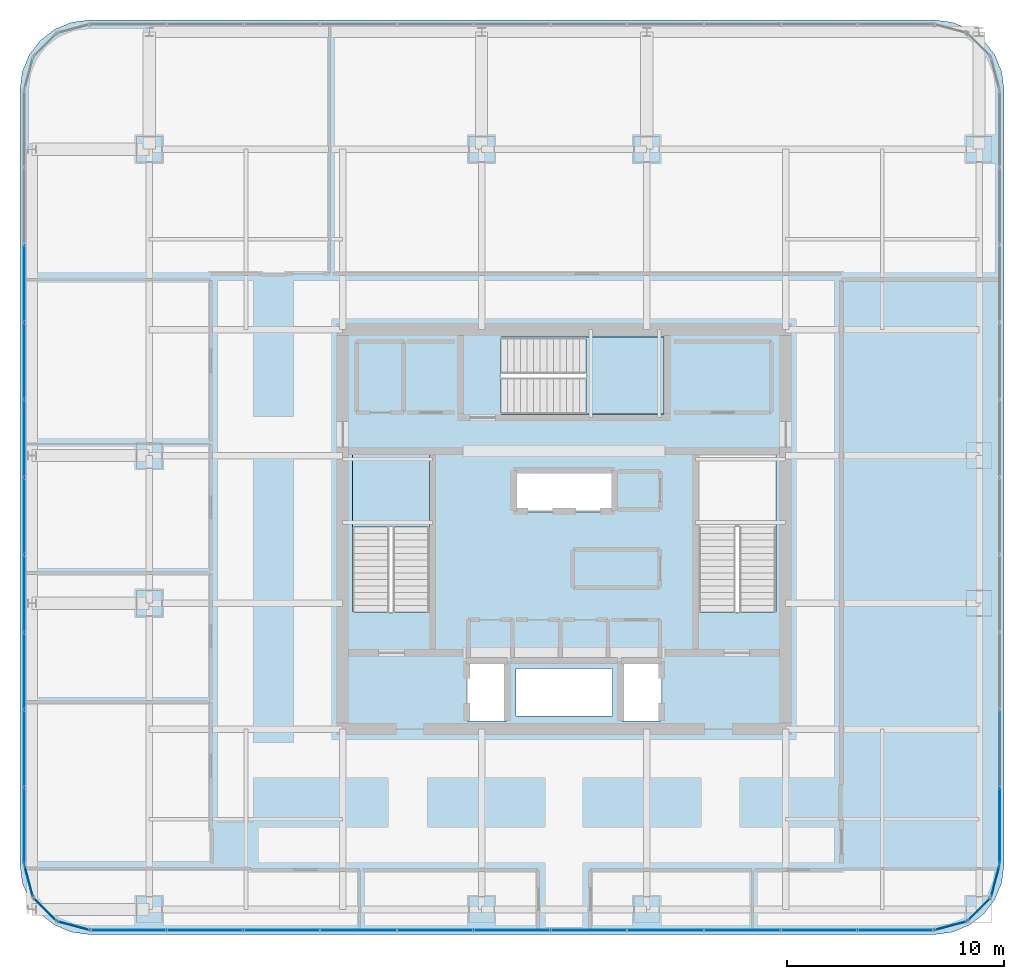
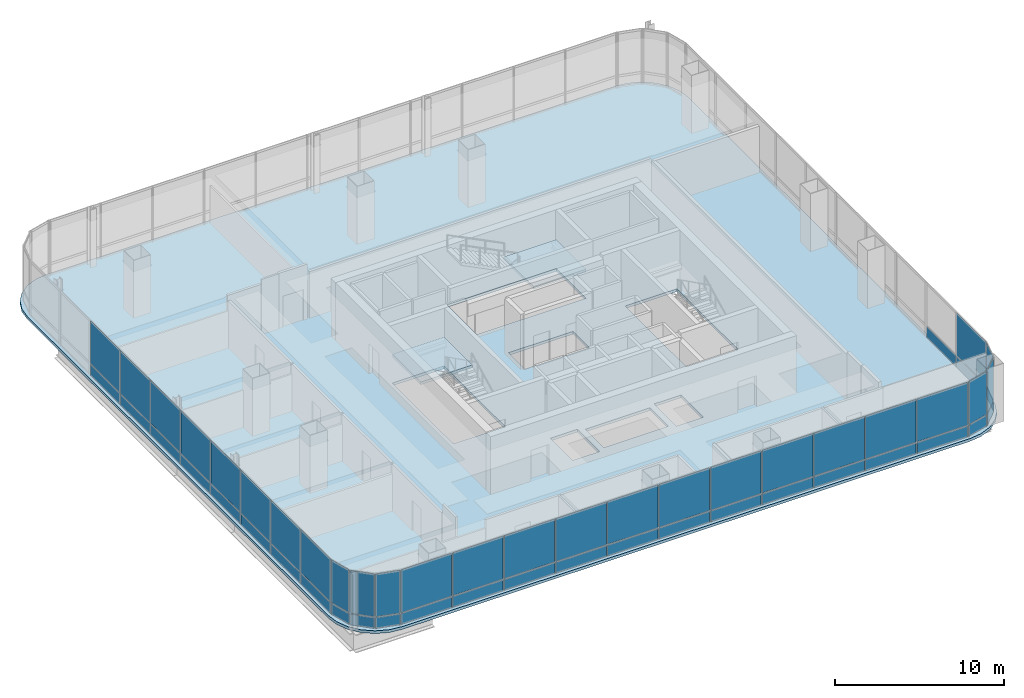
# One storey, part 32 of 42: 53 plates, 3 slabs, 11 elements without a shape of their own.
"""IFC4 building model written with IfcOpenShell, lengths in metres."""

from ifc_helpers import new_model, si_unit, direction, frame, origin, origin_2d, place, context, subcontext, project, spatial, polyline, rectangle, outline, extrude, material, layer, layer_set, type_object, element, aggregate, save


model = new_model("IFC4")

# Units and contexts
model_context = context("Model", 3, precision=1e-05, world=origin(), true_north=direction((0.0, 1.0)))
body_context = subcontext(model_context, "Body", "Model", "MODEL_VIEW")
ifc_project = project(units=[si_unit("LENGTHUNIT", "METRE"), si_unit("AREAUNIT", "SQUARE_METRE"), si_unit("VOLUMEUNIT", "CUBIC_METRE"), si_unit("PLANEANGLEUNIT", "RADIAN"), si_unit("MASSUNIT", "GRAM", prefix="KILO")], contexts=[model_context])

# Site, building, storey
site_placement = place(None, origin())
site = spatial("IfcSite", under=ifc_project, at=site_placement, CompositionType="ELEMENT")
building_placement = place(site_placement, origin())
building = spatial("IfcBuilding", under=site, at=building_placement, Name="Punatoya Terracotta Tower", CompositionType="ELEMENT")
storey_placement = place(building_placement, frame((0.0, 0.0, 296.39990234375)))
storey = spatial("IfcBuildingStorey", under=building, at=storey_placement, Name="L70", CompositionType="ELEMENT", Elevation=296.39990234375)

# Curtain wall, plates
ifc_material_1 = material(Name="Aluminium 6063-T6 + Double Low-E Glass", Category="aluminium")
curtain_wall_type = type_object("IfcCurtainWallType", Name="CW-M3", PredefinedType="NOTDEFINED", material=ifc_material_1)
curtain_wall_1_placement = place(storey_placement, origin())
curtain_wall_1 = element("IfcCurtainWall", 1, at=curtain_wall_1_placement, inside=storey, type_object=curtain_wall_type, Name="L70 Curtain Wall CW-L70-S01-1", PredefinedType="NOTDEFINED")
ifc_material_2 = material(Name="Double Low-E Acoustic Vision Glass", Category="glass")
ifc_layer_1 = layer(ifc_material_2, 0.031982421875)
ifc_layer_set_1 = layer_set([ifc_layer_1], Name="Double Low-E Acoustic Vision Glass")
plate_type_1 = type_object("IfcPlateType", Name="PLT-GLZ-32", PredefinedType="CURTAIN_PANEL", material=ifc_layer_set_1)
plate_1_placement = place(storey_placement, frame((-20.06982421875, -18.449951171875, 0.89013671875), z_axis=(0.0, 0.0, 1.0), x_axis=(1.0, 0.0, 0.0)))
plate_1 = element("IfcPlate", 2, at=plate_1_placement, type_object=plate_type_1, Name="CW-L70-S01-1 Vision Glass Panel 1", PredefinedType="CURTAIN_PANEL", context=body_context, shape_type="SweptSolid", body=[
    extrude(rectangle(XDim=3.448974609375, YDim=0.031982421875, at=origin_2d()), origin(), (0.0, 0.0, 1.0), 3.070068359375),
])
plate_2_placement = place(storey_placement, frame((-16.535888671875, -18.449951171875, 0.89013671875), z_axis=(0.0, 0.0, 1.0), x_axis=(1.0, 0.0, 0.0)))
plate_2 = element("IfcPlate", 3, at=plate_2_placement, type_object=plate_type_1, Name="CW-L70-S01-1 Vision Glass Panel 2", PredefinedType="CURTAIN_PANEL", context=body_context, shape_type="SweptSolid", body=[
    extrude(rectangle(XDim=3.448974609375, YDim=0.031982421875, at=origin_2d()), origin(), (0.0, 0.0, 1.0), 3.070068359375),
])
plate_3_placement = place(storey_placement, frame((-13.001953125, -18.449951171875, 0.89013671875), z_axis=(0.0, 0.0, 1.0), x_axis=(1.0, 0.0, 0.0)))
plate_3 = element("IfcPlate", 4, at=plate_3_placement, type_object=plate_type_1, Name="CW-L70-S01-1 Vision Glass Panel 3", PredefinedType="CURTAIN_PANEL", context=body_context, shape_type="SweptSolid", body=[
    extrude(rectangle(XDim=3.448974609375, YDim=0.031982421875, at=origin_2d()), origin(), (0.0, 0.0, 1.0), 3.070068359375),
])
plate_4_placement = place(storey_placement, frame((-9.468017578125, -18.449951171875, 0.89013671875), z_axis=(0.0, 0.0, 1.0), x_axis=(1.0, 0.0, 0.0)))
plate_4 = element("IfcPlate", 5, at=plate_4_placement, type_object=plate_type_1, Name="CW-L70-S01-1 Vision Glass Panel 4", PredefinedType="CURTAIN_PANEL", context=body_context, shape_type="SweptSolid", body=[
    extrude(rectangle(XDim=3.448974609375, YDim=0.031982421875, at=origin_2d()), origin(), (0.0, 0.0, 1.0), 3.070068359375),
])
plate_5_placement = place(storey_placement, frame((-5.93408203125, -18.449951171875, 0.89013671875), z_axis=(0.0, 0.0, 1.0), x_axis=(1.0, 0.0, 0.0)))
plate_5 = element("IfcPlate", 6, at=plate_5_placement, type_object=plate_type_1, Name="CW-L70-S01-1 Vision Glass Panel 5", PredefinedType="CURTAIN_PANEL", context=body_context, shape_type="SweptSolid", body=[
    extrude(rectangle(XDim=3.448974609375, YDim=0.031982421875, at=origin_2d()), origin(), (0.0, 0.0, 1.0), 3.070068359375),
])
plate_6_placement = place(storey_placement, frame((-2.39990234375, -18.449951171875, 0.89013671875), z_axis=(0.0, 0.0, 1.0), x_axis=(1.0, 0.0, 0.0)))
plate_6 = element("IfcPlate", 7, at=plate_6_placement, type_object=plate_type_1, Name="CW-L70-S01-1 Vision Glass Panel 6", PredefinedType="CURTAIN_PANEL", context=body_context, shape_type="SweptSolid", body=[
    extrude(rectangle(XDim=3.448974609375, YDim=0.031982421875, at=origin_2d()), origin(), (0.0, 0.0, 1.0), 3.070068359375),
])
plate_7_placement = place(storey_placement, frame((1.134033203125, -18.449951171875, 0.89013671875), z_axis=(0.0, 0.0, 1.0), x_axis=(1.0, 0.0, 0.0)))
plate_7 = element("IfcPlate", 8, at=plate_7_placement, type_object=plate_type_1, Name="CW-L70-S01-1 Vision Glass Panel 7", PredefinedType="CURTAIN_PANEL", context=body_context, shape_type="SweptSolid", body=[
    extrude(rectangle(XDim=3.448974609375, YDim=0.031982421875, at=origin_2d()), origin(), (0.0, 0.0, 1.0), 3.070068359375),
])
plate_8_placement = place(storey_placement, frame((4.66796875, -18.449951171875, 0.89013671875), z_axis=(0.0, 0.0, 1.0), x_axis=(1.0, 0.0, 0.0)))
plate_8 = element("IfcPlate", 9, at=plate_8_placement, type_object=plate_type_1, Name="CW-L70-S01-1 Vision Glass Panel 8", PredefinedType="CURTAIN_PANEL", context=body_context, shape_type="SweptSolid", body=[
    extrude(rectangle(XDim=3.448974609375, YDim=0.031982421875, at=origin_2d()), origin(), (0.0, 0.0, 1.0), 3.070068359375),
])
plate_9_placement = place(storey_placement, frame((8.201904296875, -18.449951171875, 0.89013671875), z_axis=(0.0, 0.0, 1.0), x_axis=(1.0, 0.0, 0.0)))
plate_9 = element("IfcPlate", 10, at=plate_9_placement, type_object=plate_type_1, Name="CW-L70-S01-1 Vision Glass Panel 9", PredefinedType="CURTAIN_PANEL", context=body_context, shape_type="SweptSolid", body=[
    extrude(rectangle(XDim=3.448974609375, YDim=0.031982421875, at=origin_2d()), origin(), (0.0, 0.0, 1.0), 3.070068359375),
])
plate_10_placement = place(storey_placement, frame((11.73583984375, -18.449951171875, 0.89013671875), z_axis=(0.0, 0.0, 1.0), x_axis=(1.0, 0.0, 0.0)))
plate_10 = element("IfcPlate", 11, at=plate_10_placement, type_object=plate_type_1, Name="CW-L70-S01-1 Vision Glass Panel 10", PredefinedType="CURTAIN_PANEL", context=body_context, shape_type="SweptSolid", body=[
    extrude(rectangle(XDim=3.448974609375, YDim=0.031982421875, at=origin_2d()), origin(), (0.0, 0.0, 1.0), 3.070068359375),
])
plate_11_placement = place(storey_placement, frame((15.27001953125, -18.449951171875, 0.89013671875), z_axis=(0.0, 0.0, 1.0), x_axis=(1.0, 0.0, 0.0)))
plate_11 = element("IfcPlate", 12, at=plate_11_placement, type_object=plate_type_1, Name="CW-L70-S01-1 Vision Glass Panel 11", PredefinedType="CURTAIN_PANEL", context=body_context, shape_type="SweptSolid", body=[
    extrude(rectangle(XDim=3.448974609375, YDim=0.031982421875, at=origin_2d()), origin(), (0.0, 0.0, 1.0), 3.070068359375),
])

# Curtain wall, plate
curtain_wall_2_placement = place(storey_placement, origin())
curtain_wall_2 = element("IfcCurtainWall", 13, at=curtain_wall_2_placement, inside=storey, type_object=curtain_wall_type, Name="L70 Curtain Wall CW-L70-CRN02", PredefinedType="NOTDEFINED")
plate_12_placement = place(storey_placement, frame((17.79296875, -18.248291015625, 0.89013671875), z_axis=(0.0, 0.0, 1.0), x_axis=(0.966213877436, 0.257741620719, 0.0)))
plate_12 = element("IfcPlate", 14, at=plate_12_placement, type_object=plate_type_1, Name="CW-L70-CRN02 Vision Glass Panel 1", PredefinedType="CURTAIN_PANEL", context=body_context, shape_type="SweptSolid", body=[
    extrude(rectangle(XDim=1.47998046875, YDim=0.031982421875, at=origin_2d()), origin(), (0.0, 0.0, 1.0), 3.070068359375),
])

curtain_wall_3_placement = place(storey_placement, origin())
curtain_wall_3 = element("IfcCurtainWall", 15, at=curtain_wall_3_placement, inside=storey, type_object=curtain_wall_type, Name="L70 Curtain Wall CW-L70-CRN03", PredefinedType="NOTDEFINED")
plate_13_placement = place(storey_placement, frame((19.097900390625, -17.497802734375, 0.89013671875), z_axis=(0.0, 0.0, 1.0), x_axis=(0.707106781187, 0.707106781187, 0.0)))
plate_13 = element("IfcPlate", 16, at=plate_13_placement, type_object=plate_type_1, Name="CW-L70-CRN03 Vision Glass Panel 1", PredefinedType="CURTAIN_PANEL", context=body_context, shape_type="SweptSolid", body=[
    extrude(rectangle(XDim=1.467041015625, YDim=0.031982421875, at=origin_2d()), origin(), (0.0, 0.0, 1.0), 3.070068359375),
])

curtain_wall_4_placement = place(storey_placement, origin())
curtain_wall_4 = element("IfcCurtainWall", 17, at=curtain_wall_4_placement, inside=storey, type_object=curtain_wall_type, Name="L70 Curtain Wall CW-L70-CRN04", PredefinedType="NOTDEFINED")
plate_14_placement = place(storey_placement, frame((19.848388671875, -16.193115234375, 0.89013671875), z_axis=(0.0, 0.0, 1.0), x_axis=(0.257741620719, 0.966213877436, 0.0)))
plate_14 = element("IfcPlate", 18, at=plate_14_placement, type_object=plate_type_1, Name="CW-L70-CRN04 Vision Glass Panel 1", PredefinedType="CURTAIN_PANEL", context=body_context, shape_type="SweptSolid", body=[
    extrude(rectangle(XDim=1.47998046875, YDim=0.031982421875, at=origin_2d()), origin(), (0.0, 0.0, 1.0), 3.070068359375),
])

curtain_wall_5_placement = place(storey_placement, origin())
curtain_wall_5 = element("IfcCurtainWall", 19, at=curtain_wall_5_placement, inside=storey, type_object=curtain_wall_type, Name="L70 Curtain Wall CW-L70-E05-1", PredefinedType="NOTDEFINED")
plate_15_placement = place(storey_placement, frame((20.050048828125, -13.6533203125, 0.89013671875), z_axis=(0.0, 0.0, 1.0), x_axis=(0.0, 1.0, 0.0)))
plate_15 = element("IfcPlate", 20, at=plate_15_placement, type_object=plate_type_1, Name="CW-L70-E05-1 Vision Glass Panel 1", PredefinedType="CURTAIN_PANEL", context=body_context, shape_type="SweptSolid", body=[
    extrude(rectangle(XDim=3.482421875, YDim=0.031982421875, at=origin_2d()), origin(), (0.0, 0.0, 1.0), 3.070068359375),
])

# Curtain wall, plates
curtain_wall_6_placement = place(storey_placement, origin())
curtain_wall_6 = element("IfcCurtainWall", 21, at=curtain_wall_6_placement, inside=storey, type_object=curtain_wall_type, Name="L70 Curtain Wall CW-L70-W13-1", PredefinedType="NOTDEFINED")
plate_16_placement = place(storey_placement, frame((-24.85009765625, 11.318359375, 0.89013671875), z_axis=(0.0, 0.0, 1.0), x_axis=(0.0, -1.0, 0.0)))
plate_16 = element("IfcPlate", 22, at=plate_16_placement, type_object=plate_type_1, Name="CW-L70-W13-1 Vision Glass Panel 3", PredefinedType="CURTAIN_PANEL", context=body_context, shape_type="SweptSolid", body=[
    extrude(rectangle(XDim=3.482421875, YDim=0.031982421875, at=origin_2d()), origin(), (0.0, 0.0, 1.0), 3.070068359375),
])
plate_17_placement = place(storey_placement, frame((-24.85009765625, 7.751220703125, 0.89013671875), z_axis=(0.0, 0.0, 1.0), x_axis=(0.0, -1.0, 0.0)))
plate_17 = element("IfcPlate", 23, at=plate_17_placement, type_object=plate_type_1, Name="CW-L70-W13-1 Vision Glass Panel 4", PredefinedType="CURTAIN_PANEL", context=body_context, shape_type="SweptSolid", body=[
    extrude(rectangle(XDim=3.482421875, YDim=0.031982421875, at=origin_2d()), origin(), (0.0, 0.0, 1.0), 3.070068359375),
])
plate_18_placement = place(storey_placement, frame((-24.85009765625, 4.18359375, 0.89013671875), z_axis=(0.0, 0.0, 1.0), x_axis=(0.0, -1.0, 0.0)))
plate_18 = element("IfcPlate", 24, at=plate_18_placement, type_object=plate_type_1, Name="CW-L70-W13-1 Vision Glass Panel 5", PredefinedType="CURTAIN_PANEL", context=body_context, shape_type="SweptSolid", body=[
    extrude(rectangle(XDim=3.482421875, YDim=0.031982421875, at=origin_2d()), origin(), (0.0, 0.0, 1.0), 3.070068359375),
])
plate_19_placement = place(storey_placement, frame((-24.85009765625, 0.6162109375, 0.89013671875), z_axis=(0.0, 0.0, 1.0), x_axis=(0.0, -1.0, 0.0)))
plate_19 = element("IfcPlate", 25, at=plate_19_placement, type_object=plate_type_1, Name="CW-L70-W13-1 Vision Glass Panel 6", PredefinedType="CURTAIN_PANEL", context=body_context, shape_type="SweptSolid", body=[
    extrude(rectangle(XDim=3.482421875, YDim=0.031982421875, at=origin_2d()), origin(), (0.0, 0.0, 1.0), 3.070068359375),
])
plate_20_placement = place(storey_placement, frame((-24.85009765625, -2.951171875, 0.89013671875), z_axis=(0.0, 0.0, 1.0), x_axis=(0.0, -1.0, 0.0)))
plate_20 = element("IfcPlate", 26, at=plate_20_placement, type_object=plate_type_1, Name="CW-L70-W13-1 Vision Glass Panel 7", PredefinedType="CURTAIN_PANEL", context=body_context, shape_type="SweptSolid", body=[
    extrude(rectangle(XDim=3.482421875, YDim=0.031982421875, at=origin_2d()), origin(), (0.0, 0.0, 1.0), 3.070068359375),
])
plate_21_placement = place(storey_placement, frame((-24.85009765625, -6.518310546875, 0.89013671875), z_axis=(0.0, 0.0, 1.0), x_axis=(0.0, -1.0, 0.0)))
plate_21 = element("IfcPlate", 27, at=plate_21_placement, type_object=plate_type_1, Name="CW-L70-W13-1 Vision Glass Panel 8", PredefinedType="CURTAIN_PANEL", context=body_context, shape_type="SweptSolid", body=[
    extrude(rectangle(XDim=3.482421875, YDim=0.031982421875, at=origin_2d()), origin(), (0.0, 0.0, 1.0), 3.070068359375),
])
plate_22_placement = place(storey_placement, frame((-24.85009765625, -10.085693359375, 0.89013671875), z_axis=(0.0, 0.0, 1.0), x_axis=(0.0, -1.0, 0.0)))
plate_22 = element("IfcPlate", 28, at=plate_22_placement, type_object=plate_type_1, Name="CW-L70-W13-1 Vision Glass Panel 9", PredefinedType="CURTAIN_PANEL", context=body_context, shape_type="SweptSolid", body=[
    extrude(rectangle(XDim=3.482421875, YDim=0.031982421875, at=origin_2d()), origin(), (0.0, 0.0, 1.0), 3.070068359375),
])
plate_23_placement = place(storey_placement, frame((-24.85009765625, -13.6533203125, 0.89013671875), z_axis=(0.0, 0.0, 1.0), x_axis=(0.0, -1.0, 0.0)))
plate_23 = element("IfcPlate", 29, at=plate_23_placement, type_object=plate_type_1, Name="CW-L70-W13-1 Vision Glass Panel 10", PredefinedType="CURTAIN_PANEL", context=body_context, shape_type="SweptSolid", body=[
    extrude(rectangle(XDim=3.482421875, YDim=0.031982421875, at=origin_2d()), origin(), (0.0, 0.0, 1.0), 3.070068359375),
])

# Curtain wall, plate
curtain_wall_7_placement = place(storey_placement, origin())
curtain_wall_7 = element("IfcCurtainWall", 30, at=curtain_wall_7_placement, inside=storey, type_object=curtain_wall_type, Name="L70 Curtain Wall CW-L70-CRN14", PredefinedType="NOTDEFINED")
plate_24_placement = place(storey_placement, frame((-24.648193359375, -16.193115234375, 0.89013671875), z_axis=(0.0, 0.0, 1.0), x_axis=(0.257741620719, -0.966213877436, 0.0)))
plate_24 = element("IfcPlate", 31, at=plate_24_placement, type_object=plate_type_1, Name="CW-L70-CRN14 Vision Glass Panel 1", PredefinedType="CURTAIN_PANEL", context=body_context, shape_type="SweptSolid", body=[
    extrude(rectangle(XDim=1.47998046875, YDim=0.031982421875, at=origin_2d()), origin(), (0.0, 0.0, 1.0), 3.070068359375),
])

curtain_wall_8_placement = place(storey_placement, origin())
curtain_wall_8 = element("IfcCurtainWall", 32, at=curtain_wall_8_placement, inside=storey, type_object=curtain_wall_type, Name="L70 Curtain Wall CW-L70-CRN15", PredefinedType="NOTDEFINED")
plate_25_placement = place(storey_placement, frame((-23.89794921875, -17.497802734375, 0.89013671875), z_axis=(0.0, 0.0, 1.0), x_axis=(0.707106781187, -0.707106781187, 0.0)))
plate_25 = element("IfcPlate", 33, at=plate_25_placement, type_object=plate_type_1, Name="CW-L70-CRN15 Vision Glass Panel 1", PredefinedType="CURTAIN_PANEL", context=body_context, shape_type="SweptSolid", body=[
    extrude(rectangle(XDim=1.467041015625, YDim=0.031982421875, at=origin_2d()), origin(), (0.0, 0.0, 1.0), 3.070068359375),
])

curtain_wall_9_placement = place(storey_placement, origin())
curtain_wall_9 = element("IfcCurtainWall", 34, at=curtain_wall_9_placement, inside=storey, type_object=curtain_wall_type, Name="L70 Curtain Wall CW-L70-CRN16", PredefinedType="NOTDEFINED")
plate_26_placement = place(storey_placement, frame((-22.593017578125, -18.248291015625, 0.89013671875), z_axis=(0.0, 0.0, 1.0), x_axis=(0.966213877436, -0.257741620719, 0.0)))
plate_26 = element("IfcPlate", 35, at=plate_26_placement, type_object=plate_type_1, Name="CW-L70-CRN16 Vision Glass Panel 1", PredefinedType="CURTAIN_PANEL", context=body_context, shape_type="SweptSolid", body=[
    extrude(rectangle(XDim=1.47998046875, YDim=0.031982421875, at=origin_2d()), origin(), (0.0, 0.0, 1.0), 3.070068359375),
])

# Plate
ifc_material_3 = material(Name="Insulated Terracotta-Backed Spandrel Panel", Category="masonry")
ifc_layer_2 = layer(ifc_material_3, 0.044921875)
ifc_layer_set_2 = layer_set([ifc_layer_2], Name="Insulated Terracotta-Backed Spandrel Panel")
plate_type_2 = type_object("IfcPlateType", Name="PLT-SPN-45", PredefinedType="CURTAIN_PANEL", material=ifc_layer_set_2)
plate_27_placement = place(storey_placement, frame((-20.06982421875, -18.449951171875, 0.0400390625), z_axis=(0.0, 0.0, 1.0), x_axis=(1.0, 0.0, 0.0)))
plate_27 = element("IfcPlate", 36, at=plate_27_placement, type_object=plate_type_2, Name="CW-L70-S01-1 Terracotta Spandrel Panel 1", PredefinedType="CURTAIN_PANEL", context=body_context, shape_type="SweptSolid", body=[
    extrude(rectangle(XDim=3.448974609375, YDim=0.044921875, at=origin_2d()), origin(), (0.0, 0.0, 1.0), 0.77490234375),
])

plate_28_placement = place(storey_placement, frame((-16.535888671875, -18.449951171875, 0.0400390625), z_axis=(0.0, 0.0, 1.0), x_axis=(1.0, 0.0, 0.0)))
plate_28 = element("IfcPlate", 37, at=plate_28_placement, type_object=plate_type_2, Name="CW-L70-S01-1 Terracotta Spandrel Panel 2", PredefinedType="CURTAIN_PANEL", context=body_context, shape_type="SweptSolid", body=[
    extrude(rectangle(XDim=3.448974609375, YDim=0.044921875, at=origin_2d()), origin(), (0.0, 0.0, 1.0), 0.77490234375),
])

plate_29_placement = place(storey_placement, frame((-13.001953125, -18.449951171875, 0.0400390625), z_axis=(0.0, 0.0, 1.0), x_axis=(1.0, 0.0, 0.0)))
plate_29 = element("IfcPlate", 38, at=plate_29_placement, type_object=plate_type_2, Name="CW-L70-S01-1 Terracotta Spandrel Panel 3", PredefinedType="CURTAIN_PANEL", context=body_context, shape_type="SweptSolid", body=[
    extrude(rectangle(XDim=3.448974609375, YDim=0.044921875, at=origin_2d()), origin(), (0.0, 0.0, 1.0), 0.77490234375),
])

plate_30_placement = place(storey_placement, frame((-9.468017578125, -18.449951171875, 0.0400390625), z_axis=(0.0, 0.0, 1.0), x_axis=(1.0, 0.0, 0.0)))
plate_30 = element("IfcPlate", 39, at=plate_30_placement, type_object=plate_type_2, Name="CW-L70-S01-1 Terracotta Spandrel Panel 4", PredefinedType="CURTAIN_PANEL", context=body_context, shape_type="SweptSolid", body=[
    extrude(rectangle(XDim=3.448974609375, YDim=0.044921875, at=origin_2d()), origin(), (0.0, 0.0, 1.0), 0.77490234375),
])

plate_31_placement = place(storey_placement, frame((-5.93408203125, -18.449951171875, 0.0400390625), z_axis=(0.0, 0.0, 1.0), x_axis=(1.0, 0.0, 0.0)))
plate_31 = element("IfcPlate", 40, at=plate_31_placement, type_object=plate_type_2, Name="CW-L70-S01-1 Terracotta Spandrel Panel 5", PredefinedType="CURTAIN_PANEL", context=body_context, shape_type="SweptSolid", body=[
    extrude(rectangle(XDim=3.448974609375, YDim=0.044921875, at=origin_2d()), origin(), (0.0, 0.0, 1.0), 0.77490234375),
])

plate_32_placement = place(storey_placement, frame((-2.39990234375, -18.449951171875, 0.0400390625), z_axis=(0.0, 0.0, 1.0), x_axis=(1.0, 0.0, 0.0)))
plate_32 = element("IfcPlate", 41, at=plate_32_placement, type_object=plate_type_2, Name="CW-L70-S01-1 Terracotta Spandrel Panel 6", PredefinedType="CURTAIN_PANEL", context=body_context, shape_type="SweptSolid", body=[
    extrude(rectangle(XDim=3.448974609375, YDim=0.044921875, at=origin_2d()), origin(), (0.0, 0.0, 1.0), 0.77490234375),
])

plate_33_placement = place(storey_placement, frame((1.134033203125, -18.449951171875, 0.0400390625), z_axis=(0.0, 0.0, 1.0), x_axis=(1.0, 0.0, 0.0)))
plate_33 = element("IfcPlate", 42, at=plate_33_placement, type_object=plate_type_2, Name="CW-L70-S01-1 Terracotta Spandrel Panel 7", PredefinedType="CURTAIN_PANEL", context=body_context, shape_type="SweptSolid", body=[
    extrude(rectangle(XDim=3.448974609375, YDim=0.044921875, at=origin_2d()), origin(), (0.0, 0.0, 1.0), 0.77490234375),
])

plate_34_placement = place(storey_placement, frame((4.66796875, -18.449951171875, 0.0400390625), z_axis=(0.0, 0.0, 1.0), x_axis=(1.0, 0.0, 0.0)))
plate_34 = element("IfcPlate", 43, at=plate_34_placement, type_object=plate_type_2, Name="CW-L70-S01-1 Terracotta Spandrel Panel 8", PredefinedType="CURTAIN_PANEL", context=body_context, shape_type="SweptSolid", body=[
    extrude(rectangle(XDim=3.448974609375, YDim=0.044921875, at=origin_2d()), origin(), (0.0, 0.0, 1.0), 0.77490234375),
])

plate_35_placement = place(storey_placement, frame((8.201904296875, -18.449951171875, 0.0400390625), z_axis=(0.0, 0.0, 1.0), x_axis=(1.0, 0.0, 0.0)))
plate_35 = element("IfcPlate", 44, at=plate_35_placement, type_object=plate_type_2, Name="CW-L70-S01-1 Terracotta Spandrel Panel 9", PredefinedType="CURTAIN_PANEL", context=body_context, shape_type="SweptSolid", body=[
    extrude(rectangle(XDim=3.448974609375, YDim=0.044921875, at=origin_2d()), origin(), (0.0, 0.0, 1.0), 0.77490234375),
])

plate_36_placement = place(storey_placement, frame((11.73583984375, -18.449951171875, 0.0400390625), z_axis=(0.0, 0.0, 1.0), x_axis=(1.0, 0.0, 0.0)))
plate_36 = element("IfcPlate", 45, at=plate_36_placement, type_object=plate_type_2, Name="CW-L70-S01-1 Terracotta Spandrel Panel 10", PredefinedType="CURTAIN_PANEL", context=body_context, shape_type="SweptSolid", body=[
    extrude(rectangle(XDim=3.448974609375, YDim=0.044921875, at=origin_2d()), origin(), (0.0, 0.0, 1.0), 0.77490234375),
])

plate_37_placement = place(storey_placement, frame((15.27001953125, -18.449951171875, 0.0400390625), z_axis=(0.0, 0.0, 1.0), x_axis=(1.0, 0.0, 0.0)))
plate_37 = element("IfcPlate", 46, at=plate_37_placement, type_object=plate_type_2, Name="CW-L70-S01-1 Terracotta Spandrel Panel 11", PredefinedType="CURTAIN_PANEL", context=body_context, shape_type="SweptSolid", body=[
    extrude(rectangle(XDim=3.448974609375, YDim=0.044921875, at=origin_2d()), origin(), (0.0, 0.0, 1.0), 0.77490234375),
])

aggregate(curtain_wall_1, [plate_27, plate_1, plate_28, plate_2, plate_29, plate_3, plate_30, plate_4, plate_31, plate_5, plate_32, plate_6, plate_33, plate_7, plate_34, plate_8, plate_35, plate_9, plate_36, plate_10, plate_37, plate_11])

plate_38_placement = place(storey_placement, frame((17.79296875, -18.248291015625, 0.0400390625), z_axis=(0.0, 0.0, 1.0), x_axis=(0.966213877436, 0.257741620719, 0.0)))
plate_38 = element("IfcPlate", 47, at=plate_38_placement, type_object=plate_type_2, Name="CW-L70-CRN02 Terracotta Spandrel Panel 1", PredefinedType="CURTAIN_PANEL", context=body_context, shape_type="SweptSolid", body=[
    extrude(rectangle(XDim=1.47998046875, YDim=0.044921875, at=origin_2d()), origin(), (0.0, 0.0, 1.0), 0.77490234375),
])

aggregate(curtain_wall_2, [plate_38, plate_12])

plate_39_placement = place(storey_placement, frame((19.097900390625, -17.497802734375, 0.0400390625), z_axis=(0.0, 0.0, 1.0), x_axis=(0.707106781187, 0.707106781187, 0.0)))
plate_39 = element("IfcPlate", 48, at=plate_39_placement, type_object=plate_type_2, Name="CW-L70-CRN03 Terracotta Spandrel Panel 1", PredefinedType="CURTAIN_PANEL", context=body_context, shape_type="SweptSolid", body=[
    extrude(rectangle(XDim=1.467041015625, YDim=0.044921875, at=origin_2d()), origin(), (0.0, 0.0, 1.0), 0.77490234375),
])

aggregate(curtain_wall_3, [plate_39, plate_13])

plate_40_placement = place(storey_placement, frame((19.848388671875, -16.193115234375, 0.0400390625), z_axis=(0.0, 0.0, 1.0), x_axis=(0.257741620719, 0.966213877436, 0.0)))
plate_40 = element("IfcPlate", 49, at=plate_40_placement, type_object=plate_type_2, Name="CW-L70-CRN04 Terracotta Spandrel Panel 1", PredefinedType="CURTAIN_PANEL", context=body_context, shape_type="SweptSolid", body=[
    extrude(rectangle(XDim=1.47998046875, YDim=0.044921875, at=origin_2d()), origin(), (0.0, 0.0, 1.0), 0.77490234375),
])

aggregate(curtain_wall_4, [plate_40, plate_14])

plate_41_placement = place(storey_placement, frame((20.050048828125, -13.6533203125, 0.0400390625), z_axis=(0.0, 0.0, 1.0), x_axis=(0.0, 1.0, 0.0)))
plate_41 = element("IfcPlate", 50, at=plate_41_placement, type_object=plate_type_2, Name="CW-L70-E05-1 Terracotta Spandrel Panel 1", PredefinedType="CURTAIN_PANEL", context=body_context, shape_type="SweptSolid", body=[
    extrude(rectangle(XDim=3.482421875, YDim=0.044921875, at=origin_2d()), origin(), (0.0, 0.0, 1.0), 0.77490234375),
])

plate_42_placement = place(storey_placement, frame((20.050048828125, -10.085693359375, 0.0400390625), z_axis=(0.0, 0.0, 1.0), x_axis=(0.0, 1.0, 0.0)))
plate_42 = element("IfcPlate", 51, at=plate_42_placement, type_object=plate_type_2, Name="CW-L70-E05-1 Terracotta Spandrel Panel 2", PredefinedType="CURTAIN_PANEL", context=body_context, shape_type="SweptSolid", body=[
    extrude(rectangle(XDim=3.482421875, YDim=0.044921875, at=origin_2d()), origin(), (0.0, 0.0, 1.0), 0.77490234375),
])

aggregate(curtain_wall_5, [plate_41, plate_15, plate_42])

plate_43_placement = place(storey_placement, frame((-24.85009765625, 11.318359375, 0.0400390625), z_axis=(0.0, 0.0, 1.0), x_axis=(0.0, -1.0, 0.0)))
plate_43 = element("IfcPlate", 52, at=plate_43_placement, type_object=plate_type_2, Name="CW-L70-W13-1 Terracotta Spandrel Panel 3", PredefinedType="CURTAIN_PANEL", context=body_context, shape_type="SweptSolid", body=[
    extrude(rectangle(XDim=3.482421875, YDim=0.044921875, at=origin_2d()), origin(), (0.0, 0.0, 1.0), 0.77490234375),
])

plate_44_placement = place(storey_placement, frame((-24.85009765625, 7.751220703125, 0.0400390625), z_axis=(0.0, 0.0, 1.0), x_axis=(0.0, -1.0, 0.0)))
plate_44 = element("IfcPlate", 53, at=plate_44_placement, type_object=plate_type_2, Name="CW-L70-W13-1 Terracotta Spandrel Panel 4", PredefinedType="CURTAIN_PANEL", context=body_context, shape_type="SweptSolid", body=[
    extrude(rectangle(XDim=3.482421875, YDim=0.044921875, at=origin_2d()), origin(), (0.0, 0.0, 1.0), 0.77490234375),
])

plate_45_placement = place(storey_placement, frame((-24.85009765625, 4.18359375, 0.0400390625), z_axis=(0.0, 0.0, 1.0), x_axis=(0.0, -1.0, 0.0)))
plate_45 = element("IfcPlate", 54, at=plate_45_placement, type_object=plate_type_2, Name="CW-L70-W13-1 Terracotta Spandrel Panel 5", PredefinedType="CURTAIN_PANEL", context=body_context, shape_type="SweptSolid", body=[
    extrude(rectangle(XDim=3.482421875, YDim=0.044921875, at=origin_2d()), origin(), (0.0, 0.0, 1.0), 0.77490234375),
])

plate_46_placement = place(storey_placement, frame((-24.85009765625, 0.6162109375, 0.0400390625), z_axis=(0.0, 0.0, 1.0), x_axis=(0.0, -1.0, 0.0)))
plate_46 = element("IfcPlate", 55, at=plate_46_placement, type_object=plate_type_2, Name="CW-L70-W13-1 Terracotta Spandrel Panel 6", PredefinedType="CURTAIN_PANEL", context=body_context, shape_type="SweptSolid", body=[
    extrude(rectangle(XDim=3.482421875, YDim=0.044921875, at=origin_2d()), origin(), (0.0, 0.0, 1.0), 0.77490234375),
])

plate_47_placement = place(storey_placement, frame((-24.85009765625, -2.951171875, 0.0400390625), z_axis=(0.0, 0.0, 1.0), x_axis=(0.0, -1.0, 0.0)))
plate_47 = element("IfcPlate", 56, at=plate_47_placement, type_object=plate_type_2, Name="CW-L70-W13-1 Terracotta Spandrel Panel 7", PredefinedType="CURTAIN_PANEL", context=body_context, shape_type="SweptSolid", body=[
    extrude(rectangle(XDim=3.482421875, YDim=0.044921875, at=origin_2d()), origin(), (0.0, 0.0, 1.0), 0.77490234375),
])

plate_48_placement = place(storey_placement, frame((-24.85009765625, -6.518310546875, 0.0400390625), z_axis=(0.0, 0.0, 1.0), x_axis=(0.0, -1.0, 0.0)))
plate_48 = element("IfcPlate", 57, at=plate_48_placement, type_object=plate_type_2, Name="CW-L70-W13-1 Terracotta Spandrel Panel 8", PredefinedType="CURTAIN_PANEL", context=body_context, shape_type="SweptSolid", body=[
    extrude(rectangle(XDim=3.482421875, YDim=0.044921875, at=origin_2d()), origin(), (0.0, 0.0, 1.0), 0.77490234375),
])

plate_49_placement = place(storey_placement, frame((-24.85009765625, -10.085693359375, 0.0400390625), z_axis=(0.0, 0.0, 1.0), x_axis=(0.0, -1.0, 0.0)))
plate_49 = element("IfcPlate", 58, at=plate_49_placement, type_object=plate_type_2, Name="CW-L70-W13-1 Terracotta Spandrel Panel 9", PredefinedType="CURTAIN_PANEL", context=body_context, shape_type="SweptSolid", body=[
    extrude(rectangle(XDim=3.482421875, YDim=0.044921875, at=origin_2d()), origin(), (0.0, 0.0, 1.0), 0.77490234375),
])

plate_50_placement = place(storey_placement, frame((-24.85009765625, -13.6533203125, 0.0400390625), z_axis=(0.0, 0.0, 1.0), x_axis=(0.0, -1.0, 0.0)))
plate_50 = element("IfcPlate", 59, at=plate_50_placement, type_object=plate_type_2, Name="CW-L70-W13-1 Terracotta Spandrel Panel 10", PredefinedType="CURTAIN_PANEL", context=body_context, shape_type="SweptSolid", body=[
    extrude(rectangle(XDim=3.482421875, YDim=0.044921875, at=origin_2d()), origin(), (0.0, 0.0, 1.0), 0.77490234375),
])

aggregate(curtain_wall_6, [plate_43, plate_16, plate_44, plate_17, plate_45, plate_18, plate_46, plate_19, plate_47, plate_20, plate_48, plate_21, plate_49, plate_22, plate_50, plate_23])

plate_51_placement = place(storey_placement, frame((-24.648193359375, -16.193115234375, 0.0400390625), z_axis=(0.0, 0.0, 1.0), x_axis=(0.257741620719, -0.966213877436, 0.0)))
plate_51 = element("IfcPlate", 60, at=plate_51_placement, type_object=plate_type_2, Name="CW-L70-CRN14 Terracotta Spandrel Panel 1", PredefinedType="CURTAIN_PANEL", context=body_context, shape_type="SweptSolid", body=[
    extrude(rectangle(XDim=1.47998046875, YDim=0.044921875, at=origin_2d()), origin(), (0.0, 0.0, 1.0), 0.77490234375),
])

aggregate(curtain_wall_7, [plate_51, plate_24])

plate_52_placement = place(storey_placement, frame((-23.89794921875, -17.497802734375, 0.0400390625), z_axis=(0.0, 0.0, 1.0), x_axis=(0.707106781187, -0.707106781187, 0.0)))
plate_52 = element("IfcPlate", 61, at=plate_52_placement, type_object=plate_type_2, Name="CW-L70-CRN15 Terracotta Spandrel Panel 1", PredefinedType="CURTAIN_PANEL", context=body_context, shape_type="SweptSolid", body=[
    extrude(rectangle(XDim=1.467041015625, YDim=0.044921875, at=origin_2d()), origin(), (0.0, 0.0, 1.0), 0.77490234375),
])

aggregate(curtain_wall_8, [plate_52, plate_25])

plate_53_placement = place(storey_placement, frame((-22.593017578125, -18.248291015625, 0.0400390625), z_axis=(0.0, 0.0, 1.0), x_axis=(0.966213877436, -0.257741620719, 0.0)))
plate_53 = element("IfcPlate", 62, at=plate_53_placement, type_object=plate_type_2, Name="CW-L70-CRN16 Terracotta Spandrel Panel 1", PredefinedType="CURTAIN_PANEL", context=body_context, shape_type="SweptSolid", body=[
    extrude(rectangle(XDim=1.47998046875, YDim=0.044921875, at=origin_2d()), origin(), (0.0, 0.0, 1.0), 0.77490234375),
])

aggregate(curtain_wall_9, [plate_53, plate_26])

# Stair, slab
ifc_material_4 = material(Name="Concrete C40/50", Category="concrete")
stair_type_1 = type_object("IfcStairType", Name="STR-TER-1450", PredefinedType="HALF_TURN_STAIR", material=ifc_material_4)
stair_1_placement = place(storey_placement, origin())
stair_1 = element("IfcStair", 63, at=stair_1_placement, inside=storey, type_object=stair_type_1, Name="L70 Protected Core Exit Stair ST-3", PredefinedType="HALF_TURN_STAIR")
ifc_layer_3 = layer(ifc_material_4, 0.1650390625)
ifc_layer_set_3 = layer_set([ifc_layer_3], Name="Concrete C40/50")
slab_type_1 = type_object("IfcSlabType", Name="SLB-LND-165", PredefinedType="LANDING", material=ifc_layer_set_3)
slab_1_placement = place(storey_placement, frame((0.0, 0.0, 1.900146484375)))
slab_1 = element("IfcSlab", 64, at=slab_1_placement, type_object=slab_type_1, Name="ST-3 landing 1", PredefinedType="LANDING", context=body_context, shape_type="SweptSolid", body=[
    extrude(outline(polyline([(1.0, 5.300048828125), (4.60009765625, 5.300048828125), (4.60009765625, 8.85009765625), (1.0, 8.85009765625), (1.0, 5.300048828125)])), origin(), (0.0, 0.0, 1.0), 0.199951171875),
])
aggregate(stair_1, [slab_1])

stair_type_2 = type_object("IfcStairType", Name="STR-CORE-1550", PredefinedType="HALF_TURN_STAIR", material=ifc_material_4)
stair_2_placement = place(storey_placement, origin())
stair_2 = element("IfcStair", 65, at=stair_2_placement, inside=storey, type_object=stair_type_2, Name="L70 Protected Core Exit Stair ST-1", PredefinedType="HALF_TURN_STAIR")
ifc_layer_4 = layer(ifc_material_4, 0.179931640625)
ifc_layer_set_4 = layer_set([ifc_layer_4], Name="Concrete C40/50")
slab_type_2 = type_object("IfcSlabType", Name="SLB-LND-180", PredefinedType="LANDING", material=ifc_layer_set_4)
slab_2_placement = place(storey_placement, frame((0.0, 0.0, 1.900146484375)))
slab_2 = element("IfcSlab", 66, at=slab_2_placement, type_object=slab_type_2, Name="ST-1 landing 1", PredefinedType="LANDING", context=body_context, shape_type="SweptSolid", body=[
    extrude(outline(polyline([(-6.199951171875, 0.10009765625), (-6.199951171875, 3.449951171875), (-9.75, 3.449951171875), (-9.75, 0.10009765625), (-6.199951171875, 0.10009765625)])), origin(), (0.0, 0.0, 1.0), 0.199951171875),
])
aggregate(stair_2, [slab_2])

# Slab
ifc_layer_5 = layer(ifc_material_4, 0.199951171875)
ifc_layer_set_5 = layer_set([ifc_layer_5], Name="Concrete C40/50")
slab_type_3 = type_object("IfcSlabType", Name="SLB-OFF-200", PredefinedType="FLOOR", material=ifc_layer_set_5)
slab_3_placement = place(storey_placement, frame((0.0, 0.0, -0.199951171875)))
element("IfcSlab", 67, at=slab_3_placement, inside=storey, type_object=slab_type_3, Name="L70 Structural Floor Slab", PredefinedType="FLOOR", context=body_context, shape_type="SweptSolid", body=[
    extrude(outline(polyline([(-21.85009765625, -18.64990234375), (-22.67822265625, -18.541015625), (-23.449951171875, -18.22119140625), (-24.11279296875, -17.712646484375), (-24.621337890625, -17.050048828125), (-24.94091796875, -16.2783203125), (-25.050048828125, -15.449951171875), (-25.050048828125, 20.25), (-24.94091796875, 21.078125), (-24.621337890625, 21.85009765625), (-24.11279296875, 22.5126953125), (-23.449951171875, 23.021240234375), (-22.67822265625, 23.341064453125), (-21.85009765625, 23.449951171875), (17.050048828125, 23.449951171875), (17.878173828125, 23.341064453125), (18.64990234375, 23.021240234375), (19.312744140625, 22.5126953125), (19.8212890625, 21.85009765625), (20.14111328125, 21.078125), (20.25, 20.25), (20.25, -15.449951171875), (20.14111328125, -16.2783203125), (19.8212890625, -17.050048828125), (19.312744140625, -17.712646484375), (18.64990234375, -18.22119140625), (17.878173828125, -18.541015625), (17.050048828125, -18.64990234375), (-21.85009765625, -18.64990234375)]), holes=[polyline([(-2.6298828125, -6.179931640625), (-4.469970703125, -6.179931640625), (-4.469970703125, -8.820068359375), (-2.6298828125, -8.820068359375), (-2.6298828125, -6.179931640625)]), polyline([(-0.02001953125, -6.405029296875), (-2.219970703125, -6.405029296875), (-2.219970703125, -8.594970703125), (-0.02001953125, -8.594970703125), (0.02001953125, -8.594970703125), (2.219970703125, -8.594970703125), (2.219970703125, -6.405029296875), (0.02001953125, -6.405029296875), (-0.02001953125, -6.405029296875)]), polyline([(4.469970703125, -6.179931640625), (2.6298828125, -6.179931640625), (2.6298828125, -8.820068359375), (4.469970703125, -8.820068359375), (4.469970703125, -6.179931640625)]), polyline([(-9.75, 3.449951171875), (-9.75, -3.79931640625), (-6.199951171875, -3.79931640625), (-6.199951171875, 3.449951171875), (-9.75, 3.449951171875)]), polyline([(6.199951171875, 3.449951171875), (6.199951171875, -3.79931640625), (9.75, -3.79931640625), (9.75, 3.449951171875), (6.199951171875, 3.449951171875)]), polyline([(-2.219970703125, 2.719970703125), (-2.219970703125, 0.780029296875), (-0.02001953125, 0.780029296875), (0.02001953125, 0.780029296875), (2.219970703125, 0.780029296875), (2.219970703125, 2.719970703125), (0.02001953125, 2.719970703125), (-0.02001953125, 2.719970703125), (-2.219970703125, 2.719970703125)]), polyline([(4.60009765625, 5.300048828125), (4.60009765625, 8.85009765625), (-2.899169921875, 8.85009765625), (-2.899169921875, 5.300048828125), (4.60009765625, 5.300048828125)])]), origin(), (0.0, 0.0, 1.0), 0.199951171875),
])

save(model, "model.ifc")
